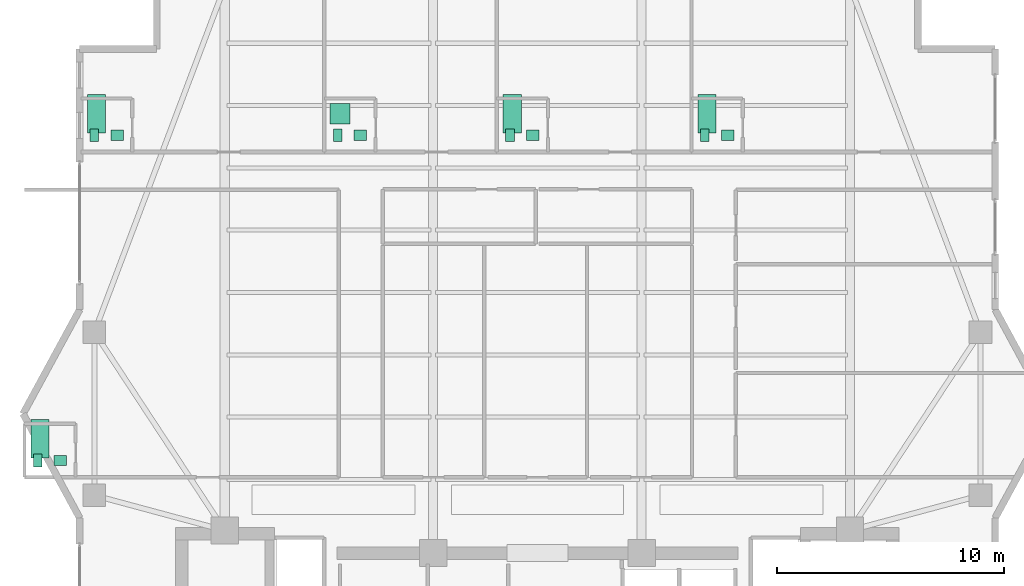
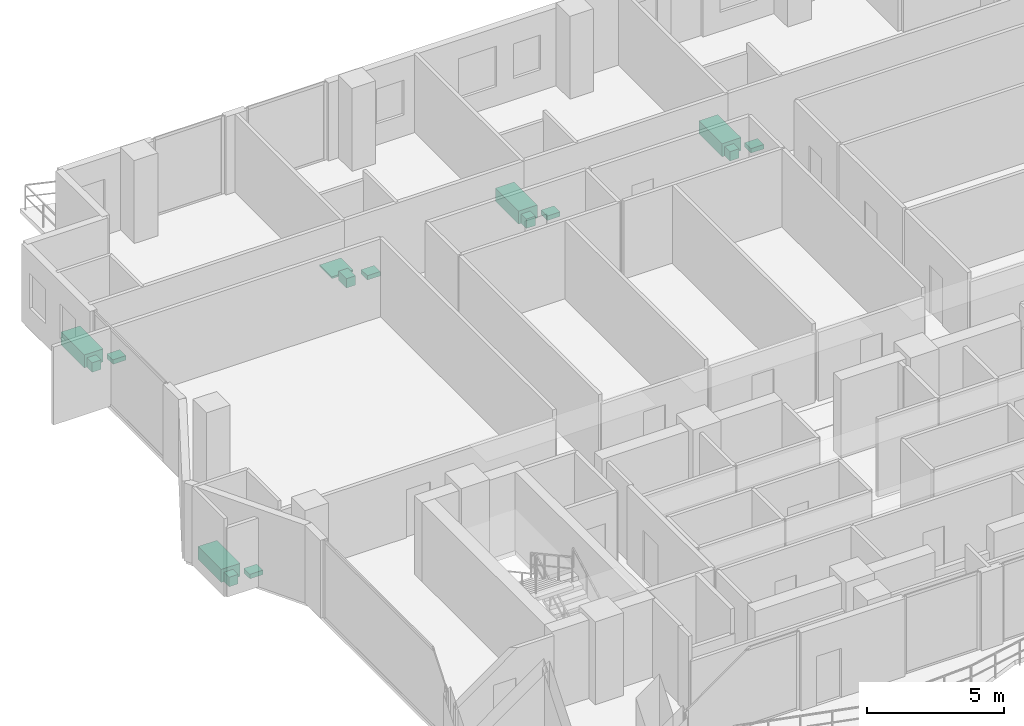
# One storey, part 24 of 24: 15 sanitary terminals.
"""IFC4 building model written with IfcOpenShell, lengths in metres."""

from ifc_helpers import new_model, si_unit, direction, frame, origin, origin_2d, place, context, subcontext, project, spatial, rectangle, extrude, material, type_object, element, save


model = new_model("IFC4")

# Units and contexts
model_context = context("Model", 3, precision=1e-05, world=origin(), true_north=direction((0.0, 1.0)))
body_context = subcontext(model_context, "Body", "Model", "MODEL_VIEW")
ifc_project = project(units=[si_unit("LENGTHUNIT", "METRE"), si_unit("AREAUNIT", "SQUARE_METRE"), si_unit("VOLUMEUNIT", "CUBIC_METRE"), si_unit("PLANEANGLEUNIT", "RADIAN"), si_unit("MASSUNIT", "GRAM", prefix="KILO")], contexts=[model_context])

# Site, building, storey
site_placement = place(None, origin())
site = spatial("IfcSite", under=ifc_project, at=site_placement, CompositionType="ELEMENT")
building_placement = place(site_placement, origin())
building = spatial("IfcBuilding", under=site, at=building_placement, Name="Zuhayl Quay Hotel", CompositionType="ELEMENT")
storey_placement = place(building_placement, frame((0.0, 0.0, 280.35009765625)))
storey = spatial("IfcBuildingStorey", under=building, at=storey_placement, Name="L71", CompositionType="ELEMENT", Elevation=280.35009765625)

# Sanitary terminals
ifc_material = material(Name="Vitreous Porcelain Sanitaryware")
sanitary_terminal_type_1 = type_object("IfcSanitaryTerminalType", Name="SAN_BASIN", PredefinedType="WASHHANDBASIN", material=ifc_material)
for number, where, z_axis, x_axis, name in (
    (1, (-18.550048828125, 31.7900390625, 0.0), (0.0, 0.0, 1.0), (1.0, 0.0, 0.0), "L71 Sanitary Fixture WASHHANDBASIN"),
    (2, (-7.81005859375, 31.7900390625, 0.0), (0.0, 0.0, 1.0), (1.0, 0.0, 0.0), "L71 Sanitary Fixture WASHHANDBASIN"),
    (3, (-0.2099609375, 31.7900390625, 0.0), (0.0, 0.0, 1.0), (1.0, 0.0, 0.0), "L71 Sanitary Fixture WASHHANDBASIN"),
    (4, (8.389892578125, 31.7900390625, 0.0), (0.0, 0.0, 1.0), (1.0, 0.0, 0.0), "L71 Sanitary Fixture WASHHANDBASIN"),
    (5, (-21.050048828125, 17.43994140625, 0.0), (0.0, 0.0, 1.0), (1.0, 0.0, 0.0), "L71 Sanitary Fixture WASHHANDBASIN"),
):
    element("IfcSanitaryTerminal", number, at=place(storey_placement, frame(where, z_axis=z_axis, x_axis=x_axis)), inside=storey, type_object=sanitary_terminal_type_1, Name=name, PredefinedType="WASHHANDBASIN", context=body_context, shape_type="SweptSolid", body=[
        extrude(rectangle(XDim=0.550048828125, YDim=0.449951171875, at=origin_2d()), origin(), (0.0, 0.0, 1.0), 0.199951171875),
    ])
sanitary_terminal_type_2 = type_object("IfcSanitaryTerminalType", Name="SAN_BATH", PredefinedType="BATH", material=ifc_material)
for number, where, z_axis, x_axis, name in (
    (6, (-19.449951171875, 32.739990234375, -0.000244140625), (0.0, 0.0, 1.0), (1.0, 0.0, 0.0), "L71 Sanitary Fixture BATH"),
    (7, (-1.110107421875, 32.739990234375, -0.000244140625), (0.0, 0.0, 1.0), (1.0, 0.0, 0.0), "L71 Sanitary Fixture BATH"),
    (8, (7.489990234375, 32.739990234375, -0.000244140625), (0.0, 0.0, 1.0), (1.0, 0.0, 0.0), "L71 Sanitary Fixture BATH"),
    (9, (-21.949951171875, 18.389892578125, -0.000244140625), (0.0, 0.0, 1.0), (1.0, 0.0, 0.0), "L71 Sanitary Fixture BATH"),
):
    element("IfcSanitaryTerminal", number, at=place(storey_placement, frame(where, z_axis=z_axis, x_axis=x_axis)), inside=storey, type_object=sanitary_terminal_type_2, Name=name, PredefinedType="BATH", context=body_context, shape_type="SweptSolid", body=[
        extrude(rectangle(XDim=0.800048828125, YDim=1.699951171875, at=origin_2d()), origin(), (0.0, 0.0, 1.0), 0.580078125),
    ])
sanitary_terminal_type_3 = type_object("IfcSanitaryTerminalType", Name="SAN_SHOWER", PredefinedType="SHOWER", material=ifc_material)
sanitary_terminal_placement = place(storey_placement, frame((-8.7099609375, 32.739990234375, -0.000244140625), z_axis=(0.0, 0.0, 1.0), x_axis=(1.0, 0.0, 0.0)))
element("IfcSanitaryTerminal", 10, at=sanitary_terminal_placement, inside=storey, type_object=sanitary_terminal_type_3, Name="L71 Sanitary Fixture SHOWER", PredefinedType="SHOWER", context=body_context, shape_type="SweptSolid", body=[
    extrude(rectangle(XDim=0.89990234375, YDim=0.89990234375, at=origin_2d()), origin(), (0.0, 0.0, 1.0), 0.080078125),
])
sanitary_terminal_type_4 = type_object("IfcSanitaryTerminalType", Name="SAN_WC", PredefinedType="TOILETPAN", material=ifc_material)
for number, where, z_axis, x_axis, name in (
    (11, (-19.550048828125, 31.7900390625, 0.0), (0.0, 0.0, 1.0), (1.0, 0.0, 0.0), "L71 Sanitary Fixture TOILETPAN"),
    (12, (-8.81005859375, 31.7900390625, 0.0), (0.0, 0.0, 1.0), (1.0, 0.0, 0.0), "L71 Sanitary Fixture TOILETPAN"),
    (13, (-1.2099609375, 31.7900390625, 0.0), (0.0, 0.0, 1.0), (1.0, 0.0, 0.0), "L71 Sanitary Fixture TOILETPAN"),
    (14, (7.389892578125, 31.7900390625, 0.0), (0.0, 0.0, 1.0), (1.0, 0.0, 0.0), "L71 Sanitary Fixture TOILETPAN"),
    (15, (-22.050048828125, 17.43994140625, 0.0), (0.0, 0.0, 1.0), (1.0, 0.0, 0.0), "L71 Sanitary Fixture TOILETPAN"),
):
    element("IfcSanitaryTerminal", number, at=place(storey_placement, frame(where, z_axis=z_axis, x_axis=x_axis)), inside=storey, type_object=sanitary_terminal_type_4, Name=name, PredefinedType="TOILETPAN", context=body_context, shape_type="SweptSolid", body=[
        extrude(rectangle(XDim=0.3798828125, YDim=0.56005859375, at=origin_2d()), origin(), (0.0, 0.0, 1.0), 0.419921875),
    ])

save(model, "model.ifc")
